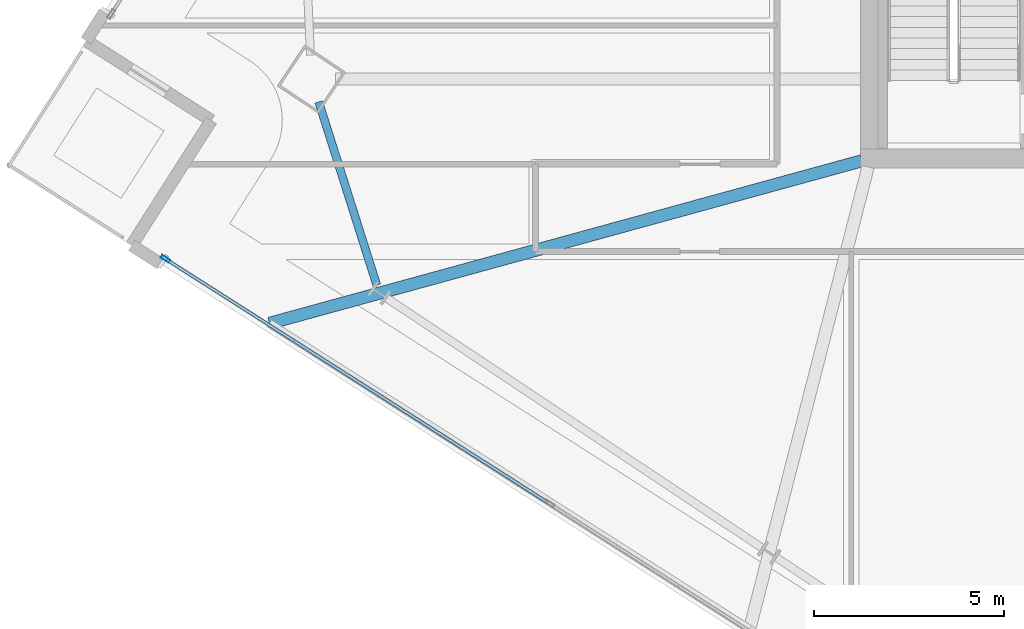
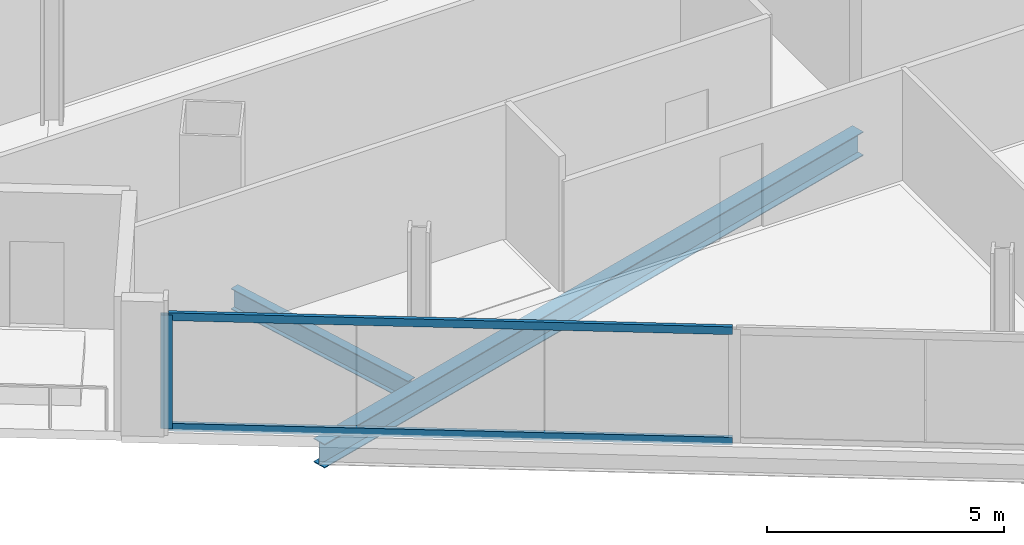
# One storey, part 5 of 30: 3 members, 2 beams, 1 element without a shape of its own.
"""IFC4 building model written with IfcOpenShell, lengths in metres."""

import ifcopenshell
import ifcopenshell.guid

model = None  # the IFC model being written
_history = None  # IfcOwnerHistory: only IFC2X3 demands one
_inside = {}  # id of a spatial element -> (the spatial element, [elements in it])
_under = {}  # id of a project, library or spatial element -> (it, [spatial elements below it])
_declared = {}  # id of a project -> (the project, [libraries it declares])
_typed = {}  # id of a type object -> (the type object, [elements of that type])
_made_of = {}  # id of a material, layer set ... -> (it, [elements and type objects made of it])


def new_model(schema):
    """Start an empty IFC model of exactly this schema.

    Asked for "IFC4X3", IfcOpenShell would pick the latest addendum, in which some entities
    have other attributes; the version numbers below select the first issue.
    IFC2X3 requires an IfcOwnerHistory on every rooted entity: one is made here for all.
    """
    global model, _history
    if schema == "IFC4X3":
        model = ifcopenshell.file(schema_version=(4, 3, 0, 0))
    else:
        model = ifcopenshell.file(schema=schema)
    _inside.clear()
    _under.clear()
    _declared.clear()
    _typed.clear()
    _made_of.clear()
    _history = None
    if model.schema == "IFC2X3":
        org = make("IfcOrganization", Name="unknown")
        user = make(
            "IfcPersonAndOrganization",
            ThePerson=make("IfcPerson", FamilyName="unknown"),
            TheOrganization=org,
        )
        app = make(
            "IfcApplication",
            ApplicationDeveloper=org,
            Version="unknown",
            ApplicationFullName="unknown",
            ApplicationIdentifier="unknown",
        )
        _history = make(
            "IfcOwnerHistory",
            OwningUser=user,
            OwningApplication=app,
            ChangeAction="ADDED",
            CreationDate=0,
        )
    return model


def make(cls, **values):
    """One entity of the class cls with the attributes given. An attribute that is None is left unset."""
    return model.create_entity(
        cls, **{name: value for name, value in values.items() if value is not None}
    )


def rooted(cls, **values):
    """An entity with a GlobalId (a new one), such as an element, a storey or a relation."""
    return make(cls, GlobalId=ifcopenshell.guid.new(), OwnerHistory=_history, **values)


def si_unit(unit_type, name, prefix=None):
    """IfcSIUnit, for example si_unit("LENGTHUNIT", "METRE", prefix="MILLI")."""
    return make("IfcSIUnit", UnitType=unit_type, Prefix=prefix, Name=name)


def assignment(units):
    """IfcUnitAssignment: the units of a project."""
    return None if units is None else make("IfcUnitAssignment", Units=units)


def point(xyz):
    """IfcCartesianPoint."""
    return None if xyz is None else make("IfcCartesianPoint", Coordinates=xyz)


def direction(xyz):
    """IfcDirection."""
    return None if xyz is None else make("IfcDirection", DirectionRatios=xyz)


def frame(location, z_axis=None, x_axis=None):
    """IfcAxis2Placement3D, a coordinate frame: its origin and axes. An axis left out is left unset."""
    return make(
        "IfcAxis2Placement3D",
        Location=point(location),
        Axis=direction(z_axis),
        RefDirection=direction(x_axis),
    )


def frame_2d(location, x_axis=None):
    """IfcAxis2Placement2D, a coordinate frame in the plane: its origin and x axis."""
    return make(
        "IfcAxis2Placement2D", Location=point(location), RefDirection=direction(x_axis)
    )


def origin():
    """The frame at (0, 0, 0) with its axes left unset."""
    return frame((0.0, 0.0, 0.0))


def origin_2d():
    """The frame at (0, 0) in the plane with its x axis left unset."""
    return frame_2d((0.0, 0.0))


def place(relative_to, where):
    """IfcLocalPlacement: puts the frame where relative to a parent placement (None: the world)."""
    return make(
        "IfcLocalPlacement", PlacementRelTo=relative_to, RelativePlacement=where
    )


def context(
    kind, dimensions, precision=None, world=None, true_north=None, identifier=None
):
    """IfcGeometricRepresentationContext, for example the 3D "Model" context."""
    return make(
        "IfcGeometricRepresentationContext",
        ContextIdentifier=identifier,
        ContextType=kind,
        CoordinateSpaceDimension=dimensions,
        Precision=precision,
        WorldCoordinateSystem=world,
        TrueNorth=true_north,
    )


def subcontext(parent, identifier, kind, view, scale=None):
    """IfcGeometricRepresentationSubContext, for example "Body" below "Model"."""
    return make(
        "IfcGeometricRepresentationSubContext",
        ContextIdentifier=identifier,
        ContextType=kind,
        ParentContext=parent,
        TargetScale=scale,
        TargetView=view,
    )


def project(units=None, contexts=None):
    """IfcProject with its units and contexts."""
    return rooted(
        "IfcProject",
        Name="project",
        RepresentationContexts=contexts,
        UnitsInContext=assignment(units),
    )


def spatial(cls, under=None, at=None, **own):
    """A site, building, storey or space (cls), placed at a placement, below another one or the project."""
    s = rooted(cls, ObjectPlacement=at, **own)
    if under is not None:
        _under.setdefault(under.id(), (under, []))[1].append(s)
    return s


def profile(cls, at=None, kind="AREA", **sizes):
    """A parametric profile (cls). Its sizes go by their IFC names, for example OverallWidth=200.0."""
    return make(cls, ProfileType=kind, Position=at, **sizes)


def hollow_rectangle(**sizes):
    """IfcRectangleHollowProfileDef."""
    return profile("IfcRectangleHollowProfileDef", **sizes)


def i_section(**sizes):
    """IfcIShapeProfileDef."""
    return profile("IfcIShapeProfileDef", **sizes)


def extrude(swept, where, along, depth):
    """IfcExtrudedAreaSolid: the profile swept, set in the frame where, extruded along a direction by depth."""
    return make(
        "IfcExtrudedAreaSolid",
        SweptArea=swept,
        Position=where,
        ExtrudedDirection=direction(along),
        Depth=depth,
    )


def shape(context_of_items, identifier, shape_type, items):
    """IfcShapeRepresentation: the items that make up one representation, for example the "Body"."""
    return make(
        "IfcShapeRepresentation",
        ContextOfItems=context_of_items,
        RepresentationIdentifier=identifier,
        RepresentationType=shape_type,
        Items=items,
    )


def material(Name=None, Category=None):
    """IfcMaterial."""
    return make("IfcMaterial", Name=Name, Category=Category)


def material_profile(
    of_material, cross_section, Name=None, Category=None, Priority=None
):
    """IfcMaterialProfile: a cross section and its material."""
    return make(
        "IfcMaterialProfile",
        Name=Name,
        Material=of_material,
        Profile=cross_section,
        Priority=Priority,
        Category=Category,
    )


def profile_set(profiles, Name=None, composite=None):
    """IfcMaterialProfileSet."""
    return make(
        "IfcMaterialProfileSet",
        Name=Name,
        MaterialProfiles=profiles,
        CompositeProfile=composite,
    )


def made_of(thing, what):
    """Note that an element or type object is made of a material, layer set ...; save() writes the relation."""
    if what is not None:
        _made_of.setdefault(what.id(), (what, []))[1].append(thing)
    return thing


def type_object(cls, material=None, **own):
    """A type object (cls), such as IfcWallType, which elements share."""
    return made_of(rooted(cls, **own), material)


def element(
    cls,
    number,
    at=None,
    inside=None,
    cuts=None,
    type_object=None,
    material=None,
    context=None,
    identifier="Body",
    shape_type=None,
    held_by="IfcProductDefinitionShape",
    body=None,
    shapes=None,
    **own,
):
    """One element of the class cls, such as IfcWall. Its Tag is "e" and its number.

    at: its placement. inside: the storey or other place that contains it. cuts: it is an
    opening in that element (IfcRelVoidsElement). A single representation is given by context,
    identifier, shape_type and body (its items); several are given by shapes. held_by: the class
    of the entity that holds the representations. save() writes the other relations.
    """
    e = rooted(cls, Tag="e%d" % number, ObjectPlacement=at, **own)
    if body is not None:
        shapes = [shape(context, identifier, shape_type, body)]
    if shapes is not None:
        e.Representation = make(held_by, Representations=shapes)
    if inside is not None:
        _inside.setdefault(inside.id(), (inside, []))[1].append(e)
    if cuts is not None:
        rooted(
            "IfcRelVoidsElement", RelatingBuildingElement=cuts, RelatedOpeningElement=e
        )
    if type_object is not None:
        _typed.setdefault(type_object.id(), (type_object, []))[1].append(e)
    return made_of(e, material)


def aggregate(whole, parts):
    """IfcRelAggregates: a whole, such as a stair, and the parts it consists of."""
    return rooted("IfcRelAggregates", RelatingObject=whole, RelatedObjects=parts)


def save(model, path):
    """Write the relations noted so far, then the file.

    IfcRelAggregates (storeys below a building ...), IfcRelContainedInSpatialStructure (elements
    in a storey), IfcRelDefinesByType, IfcRelAssociatesMaterial and IfcRelDeclares: one each for
    every whole, place, type object, material and project.
    """
    for whole, parts in _under.values():
        aggregate(whole, parts)
    for where, things in _inside.values():
        rooted(
            "IfcRelContainedInSpatialStructure",
            RelatedElements=things,
            RelatingStructure=where,
        )
    for kind, things in _typed.values():
        rooted("IfcRelDefinesByType", RelatedObjects=things, RelatingType=kind)
    for what, things in _made_of.values():
        rooted("IfcRelAssociatesMaterial", RelatedObjects=things, RelatingMaterial=what)
    for by, libraries in _declared.values():
        rooted("IfcRelDeclares", RelatingContext=by, RelatedDefinitions=libraries)
    model.write(path)


model = new_model("IFC4")

# Units and contexts
model_context = context("Model", 3, precision=1e-05, world=origin(), true_north=direction((0.0, 1.0)))
body_context = subcontext(model_context, "Body", "Model", "MODEL_VIEW")
ifc_project = project(units=[si_unit("LENGTHUNIT", "METRE"), si_unit("AREAUNIT", "SQUARE_METRE"), si_unit("VOLUMEUNIT", "CUBIC_METRE"), si_unit("PLANEANGLEUNIT", "RADIAN"), si_unit("MASSUNIT", "GRAM", prefix="KILO")], contexts=[model_context])

# Site, building, storey
site_placement = place(None, origin())
site = spatial("IfcSite", under=ifc_project, at=site_placement, CompositionType="ELEMENT")
building_placement = place(site_placement, origin())
building = spatial("IfcBuilding", under=site, at=building_placement, Name="Haldenkirk Collegiate Tower", CompositionType="ELEMENT")
storey_placement = place(building_placement, frame((0.0, 0.0, 220.949951171875)))
storey = spatial("IfcBuildingStorey", under=building, at=storey_placement, Name="L55", CompositionType="ELEMENT", Elevation=220.949951171875)

# Beams
ifc_material_1 = material(Name="Steel ASTM A992 Grade 50", Category="steel")
ifc_material_profile_1 = material_profile(ifc_material_1, i_section(OverallWidth=0.324951171875, OverallDepth=0.615966796875, WebThickness=0.013916015625, FlangeThickness=0.021484375, at=origin_2d()), Name="W24X117")
ifc_profile_set_1 = profile_set([ifc_material_profile_1], Name="Steel ASTM A992 Grade 50")
beam_type_1 = type_object("IfcBeamType", Name="BM-GIRDER-W24X117", PredefinedType="BEAM", material=ifc_profile_set_1)
beam_1_placement = place(storey_placement, frame((11.197998046875, 13.664306640625, -0.587890625), z_axis=(0.964358513596, 0.264599049988, 0.0), x_axis=(-0.264599049988, 0.964358513596, 0.0)))
element("IfcBeam", 1, at=beam_1_placement, inside=storey, type_object=beam_type_1, Name="L55 primary floor girder 14", PredefinedType="BEAM", context=body_context, shape_type="SweptSolid", body=[
    extrude(i_section(OverallWidth=0.324951171875, OverallDepth=0.615966796875, WebThickness=0.013916015625, FlangeThickness=0.021484375, at=origin_2d()), origin(), (0.0, 0.0, 1.0), 16.15625),
])
ifc_material_profile_2 = material_profile(ifc_material_1, i_section(OverallWidth=0.2099609375, OverallDepth=0.537109375, WebThickness=0.010986328125, FlangeThickness=0.017333984375, at=origin_2d()), Name="W21X68")
ifc_profile_set_2 = profile_set([ifc_material_profile_2], Name="Steel ASTM A992 Grade 50")
beam_type_2 = type_object("IfcBeamType", Name="BM-SPANDREL-W21X68", PredefinedType="SPANDREL", material=ifc_profile_set_2)
beam_2_placement = place(storey_placement, frame((12.494873046875, 19.489013671875, -0.54833984375), z_axis=(0.301937009704, -0.95332787758, 0.0), x_axis=(0.95332787758, 0.301937009704, 0.0)))
element("IfcBeam", 2, at=beam_2_placement, inside=storey, type_object=beam_type_2, Name="L55 perimeter spandrel beam 13", PredefinedType="SPANDREL", context=body_context, shape_type="SweptSolid", body=[
    extrude(i_section(OverallWidth=0.2099609375, OverallDepth=0.537109375, WebThickness=0.010986328125, FlangeThickness=0.017333984375, at=origin_2d()), origin(), (0.0, 0.0, 1.0), 5.060791015625),
])

# Curtain wall, members
ifc_material_2 = material(Name="Anodised architectural bronze aluminium", Category="aluminium")
curtain_wall_type = type_object("IfcCurtainWallType", Name="CW-SYS1B-CONVEX-HI", PredefinedType="USERDEFINED", material=ifc_material_2)
curtain_wall_placement = place(storey_placement, origin())
curtain_wall = element("IfcCurtainWall", 3, at=curtain_wall_placement, inside=storey, type_object=curtain_wall_type, Name="L55 Upper tower high-wind convex bronze unitised curtain wall", ObjectType="UNITISED CURTAIN WALL", PredefinedType="USERDEFINED")
ifc_material_profile_3 = material_profile(ifc_material_2, hollow_rectangle(XDim=0.0849609375, YDim=0.25, WallThickness=0.0048828125, at=origin_2d()), Name="CW-MUL-1B")
ifc_profile_set_3 = profile_set([ifc_material_profile_3], Name="Anodised architectural bronze aluminium")
member_type_1 = type_object("IfcMemberType", Name="CW-MUL-1B", PredefinedType="MULLION", material=ifc_profile_set_3)
member_1_placement = place(storey_placement, frame((8.462646484375, 15.359375, 0.0), z_axis=(0.0, 0.0, 1.0), x_axis=(-0.537300519173, -0.843390865552, 0.0)))
member_1 = element("IfcMember", 4, at=member_1_placement, type_object=member_type_1, Name="CW-1B mullion 4", PredefinedType="MULLION", context=body_context, shape_type="SweptSolid", body=[
    extrude(hollow_rectangle(XDim=0.0849609375, YDim=0.25, WallThickness=0.0048828125, at=origin_2d()), origin(), (0.0, 0.0, 1.0), 2.927978515625),
])
ifc_material_profile_4 = material_profile(ifc_material_2, hollow_rectangle(XDim=0.0849609375, YDim=0.199951171875, WallThickness=0.0048828125, at=origin_2d()), Name="CW-TRN-1B")
ifc_profile_set_4 = profile_set([ifc_material_profile_4], Name="Anodised architectural bronze aluminium")
member_type_2 = type_object("IfcMemberType", Name="CW-TRN-1B", PredefinedType="USERDEFINED", material=ifc_profile_set_4)
member_2_placement = place(storey_placement, frame((18.53271484375, 8.944091796875, 0.04248046875), z_axis=(-0.843396910966, 0.537291029679, 0.0), x_axis=(-0.537291029679, -0.843396910966, 0.0)))
member_2 = element("IfcMember", 5, at=member_2_placement, type_object=member_type_2, Name="CW-1B transom 3.1", ObjectType="TRANSOM", PredefinedType="USERDEFINED", context=body_context, shape_type="SweptSolid", body=[
    extrude(hollow_rectangle(XDim=0.0849609375, YDim=0.199951171875, WallThickness=0.0048828125, at=origin_2d()), origin(), (0.0, 0.0, 1.0), 11.8974609375),
])
member_3_placement = place(storey_placement, frame((18.53271484375, 8.944091796875, 2.885498046875), z_axis=(-0.843396910966, 0.537291029679, 0.0), x_axis=(-0.537291029679, -0.843396910966, 0.0)))
member_3 = element("IfcMember", 6, at=member_3_placement, type_object=member_type_2, Name="CW-1B transom 3.2", ObjectType="TRANSOM", PredefinedType="USERDEFINED", context=body_context, shape_type="SweptSolid", body=[
    extrude(hollow_rectangle(XDim=0.0849609375, YDim=0.199951171875, WallThickness=0.0048828125, at=origin_2d()), origin(), (0.0, 0.0, 1.0), 11.8974609375),
])
aggregate(curtain_wall, [member_1, member_2, member_3])

save(model, "model.ifc")
